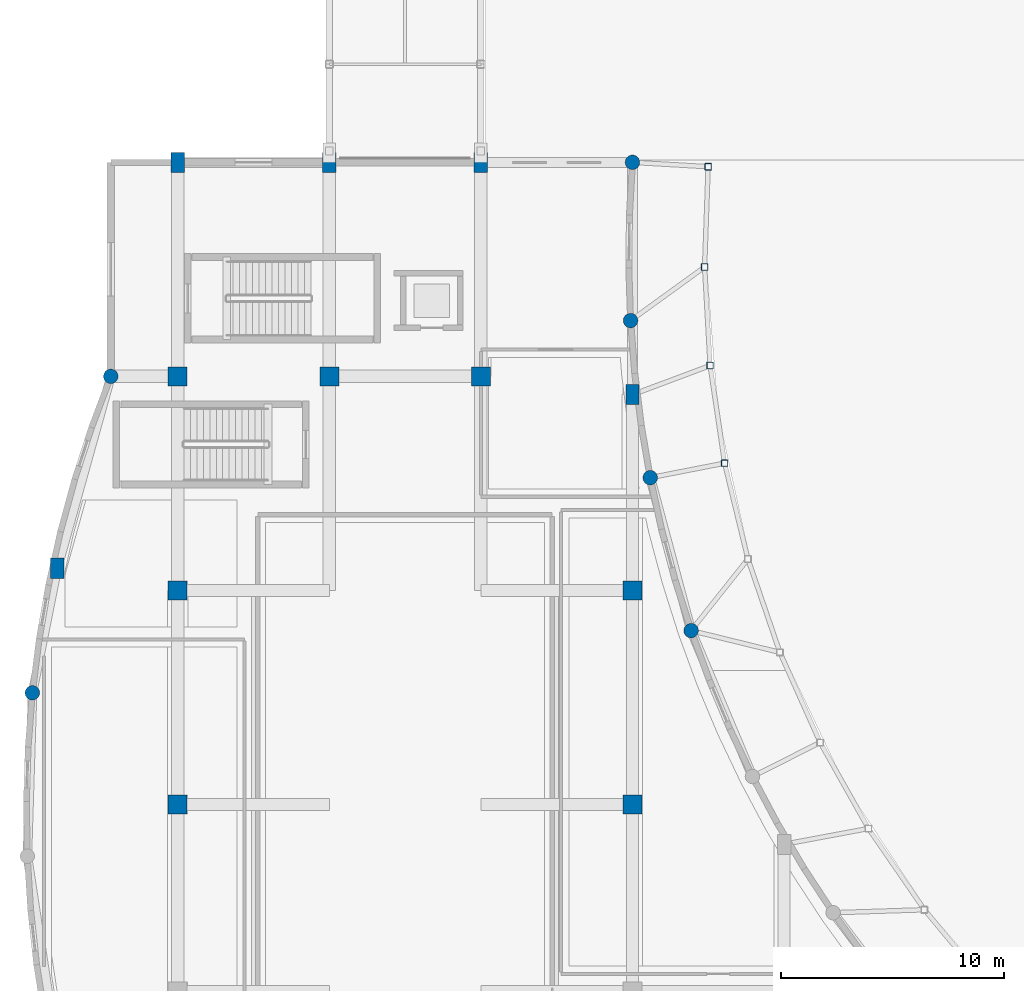
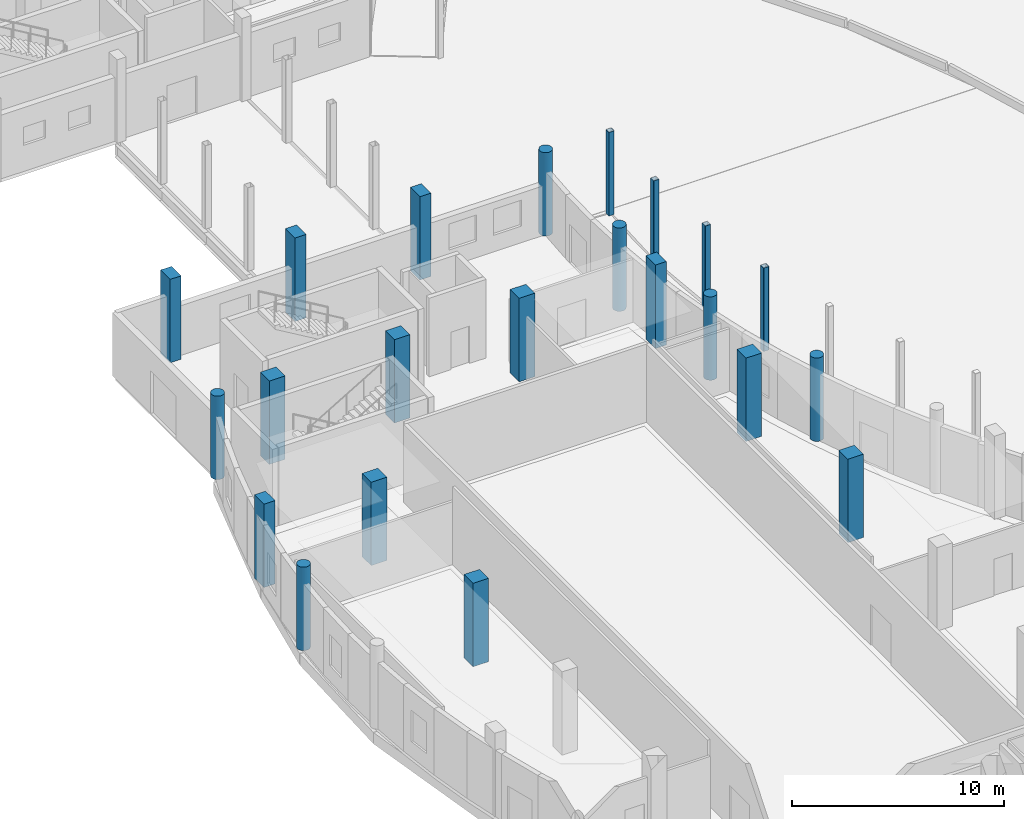
# One storey, part 3 of 97: 22 columns.
"""IFC4 building model written with IfcOpenShell, lengths in metres."""

from ifc_helpers import new_model, si_unit, direction, frame, origin, origin_2d, place, context, subcontext, project, spatial, rectangle, hollow_rectangle, circle, extrude, material, material_profile, profile_set, type_object, element, save


model = new_model("IFC4")

# Units and contexts
model_context = context("Model", 3, precision=1e-05, world=origin(), true_north=direction((0.0, 1.0)))
body_context = subcontext(model_context, "Body", "Model", "MODEL_VIEW")
ifc_project = project(units=[si_unit("LENGTHUNIT", "METRE"), si_unit("AREAUNIT", "SQUARE_METRE"), si_unit("VOLUMEUNIT", "CUBIC_METRE"), si_unit("PLANEANGLEUNIT", "RADIAN"), si_unit("MASSUNIT", "GRAM", prefix="KILO")], contexts=[model_context])

# Site, building, storey
site_placement = place(None, origin())
site = spatial("IfcSite", under=ifc_project, at=site_placement, CompositionType="ELEMENT")
building_placement = place(site_placement, origin())
building = spatial("IfcBuilding", under=site, at=building_placement, Name="Kisaragi Civic Commons", CompositionType="ELEMENT")
storey_placement = place(building_placement, origin())
storey = spatial("IfcBuildingStorey", under=building, at=storey_placement, Name="L00", CompositionType="ELEMENT", Elevation=0.0)

# Columns
ifc_material_1 = material(Name="Concrete Fc36", Category="concrete")
ifc_material_profile_1 = material_profile(ifc_material_1, rectangle(XDim=0.85009765625, YDim=0.85009765625, at=origin_2d()), Name="RC-850x850", Category="concrete")
ifc_profile_set_1 = profile_set([ifc_material_profile_1], Name="Concrete Fc36")
column_type_1 = type_object("IfcColumnType", Name="C-01", PredefinedType="COLUMN", material=ifc_profile_set_1)
for number, where, z_axis, x_axis, name in (
    (1, (6.800048828125, 33.60009765625, 0.0), (0.0, 0.0, 1.0), (1.0, 0.0, 0.0), "L00 column C-01 (6.8,33.6)"),
    (2, (6.800048828125, 43.199951171875, 0.0), (0.0, 0.0, 1.0), (1.0, 0.0, 0.0), "L00 column C-01 (6.8,43.2)"),
    (3, (6.800048828125, 52.800048828125, 0.0), (0.0, 0.0, 1.0), (1.0, 0.0, 0.0), "L00 column C-01 (6.8,52.8)"),
    (4, (13.60009765625, 52.800048828125, 0.0), (0.0, 0.0, 1.0), (1.0, 0.0, 0.0), "L00 column C-01 (13.6,52.8)"),
    (5, (20.39990234375, 52.800048828125, 0.0), (0.0, 0.0, 1.0), (1.0, 0.0, 0.0), "L00 column C-01 (20.4,52.8)"),
    (6, (27.199951171875, 33.60009765625, 0.0), (0.0, 0.0, 1.0), (1.0, 0.0, 0.0), "L00 column C-01 (27.2,33.6)"),
    (7, (27.199951171875, 43.199951171875, 0.0), (0.0, 0.0, 1.0), (1.0, 0.0, 0.0), "L00 column C-01 (27.2,43.2)"),
):
    element("IfcColumn", number, at=place(storey_placement, frame(where, z_axis=z_axis, x_axis=x_axis)), inside=storey, type_object=column_type_1, Name=name, PredefinedType="COLUMN", context=body_context, shape_type="SweptSolid", body=[
        extrude(rectangle(XDim=0.85009765625, YDim=0.85009765625, at=origin_2d()), origin(), (0.0, 0.0, 1.0), 4.800048828125),
    ])
ifc_material_profile_2 = material_profile(ifc_material_1, rectangle(XDim=0.60009765625, YDim=0.89990234375, at=origin_2d()), Name="RC-600x900", Category="concrete")
ifc_profile_set_2 = profile_set([ifc_material_profile_2], Name="Concrete Fc36")
column_type_2 = type_object("IfcColumnType", Name="C-09", PredefinedType="COLUMN", material=ifc_profile_set_2)
for number, where, z_axis, x_axis, name in (
    (8, (1.39990234375, 44.1923828125, 0.0), (0.0, 0.0, 1.0), (1.0, 0.0, 0.0), "L00 column C-09 (1.4,44.2)"),
    (9, (6.800048828125, 62.39990234375, 0.0), (0.0, 0.0, 1.0), (1.0, 0.0, 0.0), "L00 column C-09 (6.8,62.4)"),
    (10, (13.60009765625, 62.39990234375, 0.0), (0.0, 0.0, 1.0), (1.0, 0.0, 0.0), "L00 column C-09 (13.6,62.4)"),
    (11, (20.39990234375, 62.39990234375, 0.0), (0.0, 0.0, 1.0), (1.0, 0.0, 0.0), "L00 column C-09 (20.4,62.4)"),
    (12, (27.199951171875, 51.97900390625, 0.0), (0.0, 0.0, 1.0), (1.0, 0.0, 0.0), "L00 column C-09 (27.2,52.0)"),
):
    element("IfcColumn", number, at=place(storey_placement, frame(where, z_axis=z_axis, x_axis=x_axis)), inside=storey, type_object=column_type_2, Name=name, PredefinedType="COLUMN", context=body_context, shape_type="SweptSolid", body=[
        extrude(rectangle(XDim=0.60009765625, YDim=0.89990234375, at=origin_2d()), origin(), (0.0, 0.0, 1.0), 4.800048828125),
    ])
ifc_material_2 = material(Name="Concrete Fc30", Category="concrete")
ifc_material_profile_3 = material_profile(ifc_material_2, circle(Radius=0.324951171875, at=origin_2d()), Name="RC-D650", Category="concrete")
ifc_profile_set_3 = profile_set([ifc_material_profile_3], Name="Concrete Fc30")
column_type_3 = type_object("IfcColumnType", Name="C-12", PredefinedType="COLUMN", material=ifc_profile_set_3)
for number, where, z_axis, x_axis, name in (
    (13, (0.28125, 38.604248046875, 0.0), (0.0, 0.0, 1.0), (1.0, 0.0, 0.0), "L00 column C-12 (0.3,38.6)"),
    (14, (3.800048828125, 52.800048828125, 0.0), (0.0, 0.0, 1.0), (1.0, 0.0, 0.0), "L00 column C-12 (3.8,52.8)"),
    (15, (27.114501953125, 55.30029296875, 0.0), (0.0, 0.0, 1.0), (1.0, 0.0, 0.0), "L00 column C-12 (27.1,55.3)"),
    (16, (27.199951171875, 62.39990234375, 0.0), (0.0, 0.0, 1.0), (1.0, 0.0, 0.0), "L00 column C-12 (27.2,62.4)"),
    (17, (27.996826171875, 48.25537109375, 0.0), (0.0, 0.0, 1.0), (1.0, 0.0, 0.0), "L00 column C-12 (28.0,48.3)"),
    (18, (29.83056640625, 41.39599609375, 0.0), (0.0, 0.0, 1.0), (1.0, 0.0, 0.0), "L00 column C-12 (29.8,41.4)"),
):
    element("IfcColumn", number, at=place(storey_placement, frame(where, z_axis=z_axis, x_axis=x_axis)), inside=storey, type_object=column_type_3, Name=name, PredefinedType="COLUMN", context=body_context, shape_type="SweptSolid", body=[
        extrude(circle(Radius=0.324951171875, at=origin_2d()), origin(), (0.0, 0.0, 1.0), 4.800048828125),
    ])
ifc_material_3 = material(Name="Steel BCR295", Category="steel")
ifc_material_profile_4 = material_profile(ifc_material_3, hollow_rectangle(XDim=0.300048828125, YDim=0.300048828125, WallThickness=0.012939453125, InnerFilletRadius=0.012939453125, OuterFilletRadius=0.02587890625, at=origin_2d()), Name="BCR-300x300x13", Category="steel")
ifc_profile_set_4 = profile_set([ifc_material_profile_4], Name="Steel BCR295")
column_type_4 = type_object("IfcColumnType", Name="C-15", PredefinedType="COLUMN", material=ifc_profile_set_4)
for number, where, z_axis, x_axis, name in (
    (19, (30.434814453125, 57.703857421875, 0.0), (0.0, 0.0, 1.0), (1.0, 0.0, 0.0), "L00 column C-15 (30.4,57.7)"),
    (20, (30.594482421875, 62.204345703125, 0.0), (0.0, 0.0, 1.0), (1.0, 0.0, 0.0), "L00 column C-15 (30.6,62.2)"),
    (21, (30.683837890625, 53.284912109375, 0.0), (0.0, 0.0, 1.0), (1.0, 0.0, 0.0), "L00 column C-15 (30.7,53.3)"),
    (22, (31.333740234375, 48.9072265625, 0.0), (0.0, 0.0, 1.0), (1.0, 0.0, 0.0), "L00 column C-15 (31.3,48.9)"),
):
    element("IfcColumn", number, at=place(storey_placement, frame(where, z_axis=z_axis, x_axis=x_axis)), inside=storey, type_object=column_type_4, Name=name, PredefinedType="COLUMN", context=body_context, shape_type="SweptSolid", body=[
        extrude(hollow_rectangle(XDim=0.300048828125, YDim=0.300048828125, WallThickness=0.012939453125, InnerFilletRadius=0.012939453125, OuterFilletRadius=0.02587890625, at=origin_2d()), origin(), (0.0, 0.0, 1.0), 4.800048828125),
    ])

save(model, "model.ifc")
